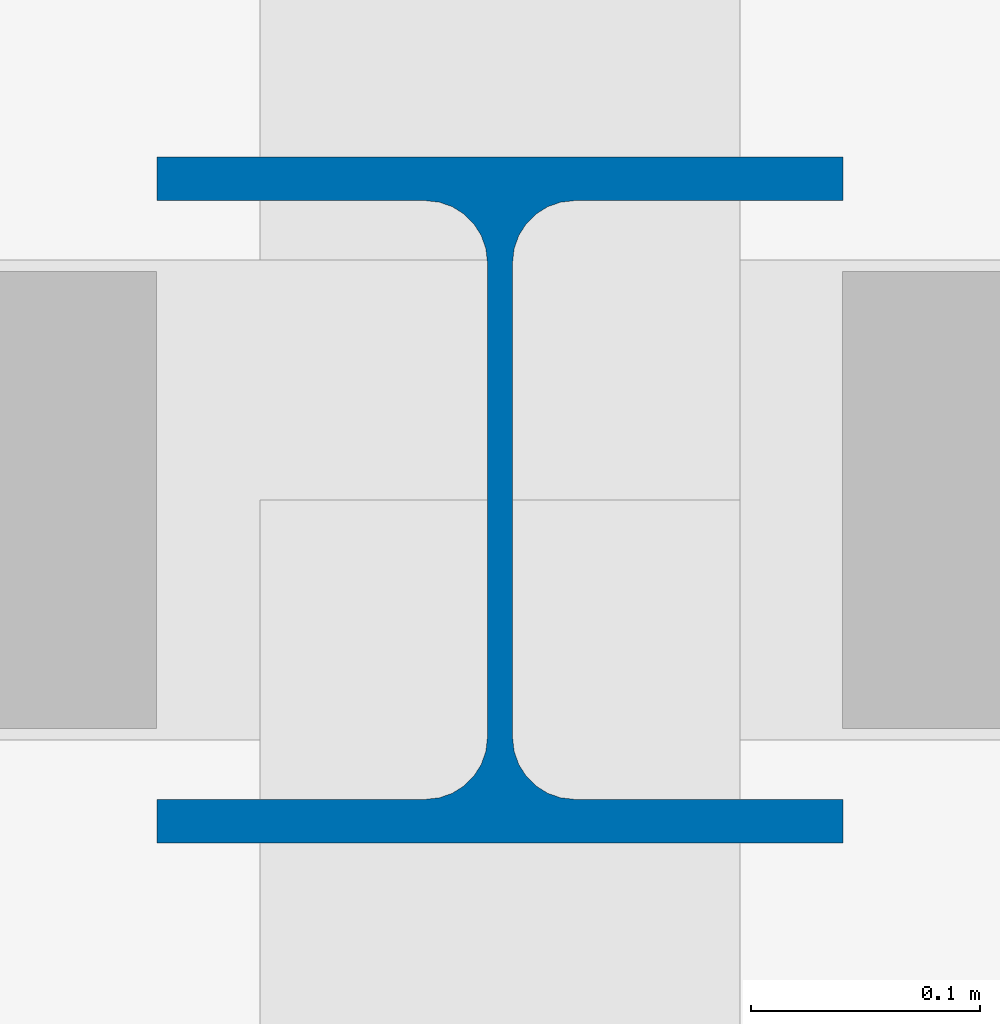
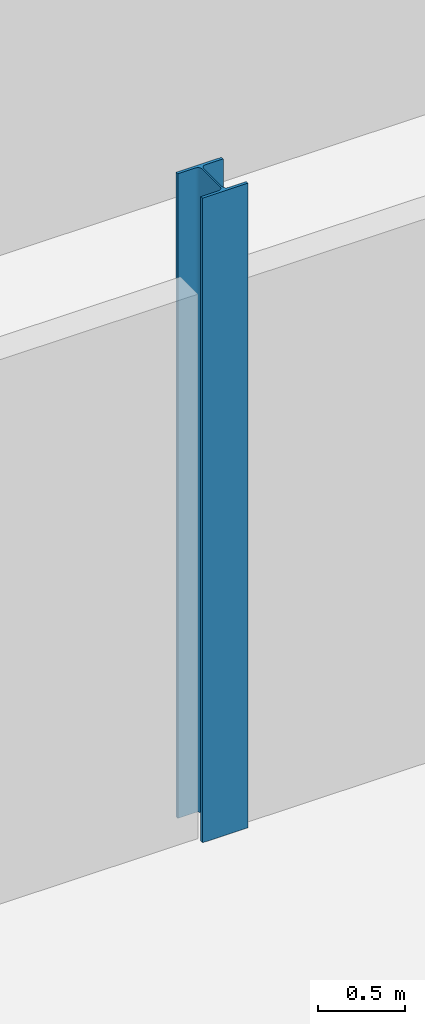
# One storey, part 3 of 116: 1 column.
"""IFC4 building model written with IfcOpenShell, lengths in metres."""

from ifc_helpers import new_model, si_unit, direction, frame, origin, origin_2d, place, context, subcontext, project, spatial, i_section, extrude, material, material_profile, profile_set, type_object, element, save


model = new_model("IFC4")

# Units and contexts
model_context = context("Model", 3, precision=1e-05, world=origin(), true_north=direction((0.0, 1.0)))
body_context = subcontext(model_context, "Body", "Model", "MODEL_VIEW")
ifc_project = project(units=[si_unit("LENGTHUNIT", "METRE"), si_unit("AREAUNIT", "SQUARE_METRE"), si_unit("VOLUMEUNIT", "CUBIC_METRE"), si_unit("PLANEANGLEUNIT", "RADIAN"), si_unit("MASSUNIT", "GRAM", prefix="KILO")], contexts=[model_context])

# Site, building, storey
site_placement = place(None, origin())
site = spatial("IfcSite", under=ifc_project, at=site_placement, CompositionType="ELEMENT")
building_placement = place(site_placement, origin())
building = spatial("IfcBuilding", under=site, at=building_placement, Name="Ardhachandra Cancer Care Centre", CompositionType="ELEMENT")
storey_placement = place(building_placement, origin())
storey = spatial("IfcBuildingStorey", under=building, at=storey_placement, Name="L00", CompositionType="ELEMENT", Elevation=0.0)

# Column
ifc_material = material(Name="Steel E350 (IS 2062)", Category="steel")
ifc_material_profile = material_profile(ifc_material, i_section(OverallWidth=0.300048828125, OverallDepth=0.300048828125, WebThickness=0.010986328125, FlangeThickness=0.01904296875, FilletRadius=0.027099609375, at=origin_2d()), Name="WPB 300x300x117.03")
ifc_profile_set = profile_set([ifc_material_profile], Name="Steel E350 (IS 2062)")
column_type = type_object("IfcColumnType", Name="Column WPB 300x300x117.03", PredefinedType="COLUMN", material=ifc_profile_set)
column_placement = place(storey_placement, frame((27.60009765625, 37.800048828125, 0.0), z_axis=(0.0, 0.0, 1.0), x_axis=(1.0, 0.0, 0.0)))
element("IfcColumn", 1, at=column_placement, inside=storey, type_object=column_type, Name="Column D3 L00", PredefinedType="COLUMN", context=body_context, shape_type="SweptSolid", body=[
    extrude(i_section(OverallWidth=0.300048828125, OverallDepth=0.300048828125, WebThickness=0.010986328125, FlangeThickness=0.01904296875, FilletRadius=0.027099609375, at=origin_2d()), origin(), (0.0, 0.0, 1.0), 4.5),
])

save(model, "model.ifc")
